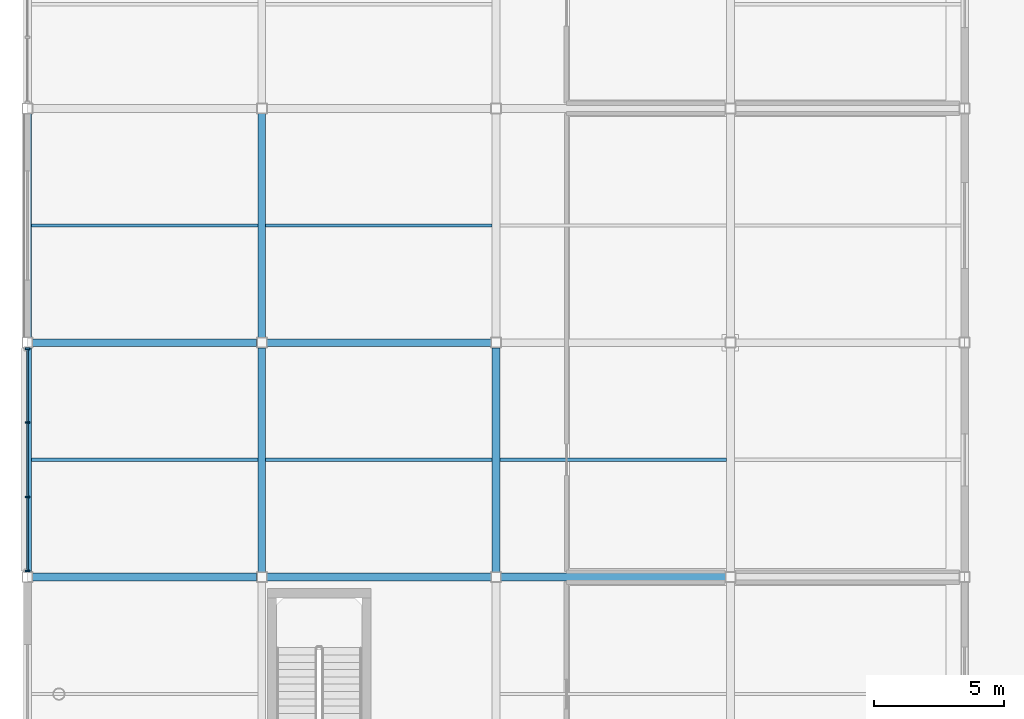
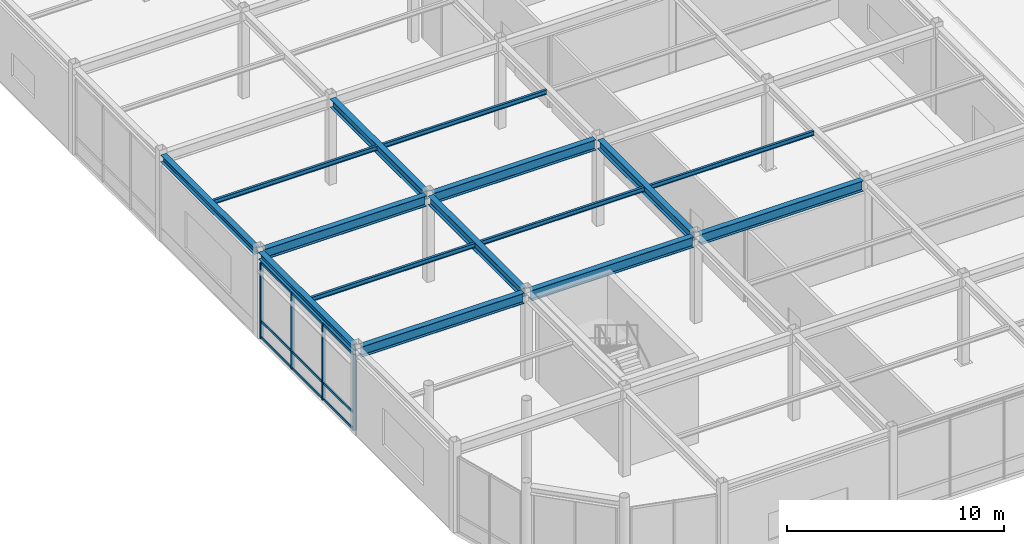
# One storey, part 29 of 123: 15 beams, 13 members, 1 element without a shape of its own.
"""IFC4 building model written with IfcOpenShell, lengths in metres."""

import ifcopenshell
import ifcopenshell.guid

model = None  # the IFC model being written
_history = None  # IfcOwnerHistory: only IFC2X3 demands one
_inside = {}  # id of a spatial element -> (the spatial element, [elements in it])
_under = {}  # id of a project, library or spatial element -> (it, [spatial elements below it])
_declared = {}  # id of a project -> (the project, [libraries it declares])
_typed = {}  # id of a type object -> (the type object, [elements of that type])
_made_of = {}  # id of a material, layer set ... -> (it, [elements and type objects made of it])


def new_model(schema):
    """Start an empty IFC model of exactly this schema.

    Asked for "IFC4X3", IfcOpenShell would pick the latest addendum, in which some entities
    have other attributes; the version numbers below select the first issue.
    IFC2X3 requires an IfcOwnerHistory on every rooted entity: one is made here for all.
    """
    global model, _history
    if schema == "IFC4X3":
        model = ifcopenshell.file(schema_version=(4, 3, 0, 0))
    else:
        model = ifcopenshell.file(schema=schema)
    _inside.clear()
    _under.clear()
    _declared.clear()
    _typed.clear()
    _made_of.clear()
    _history = None
    if model.schema == "IFC2X3":
        org = make("IfcOrganization", Name="unknown")
        user = make(
            "IfcPersonAndOrganization",
            ThePerson=make("IfcPerson", FamilyName="unknown"),
            TheOrganization=org,
        )
        app = make(
            "IfcApplication",
            ApplicationDeveloper=org,
            Version="unknown",
            ApplicationFullName="unknown",
            ApplicationIdentifier="unknown",
        )
        _history = make(
            "IfcOwnerHistory",
            OwningUser=user,
            OwningApplication=app,
            ChangeAction="ADDED",
            CreationDate=0,
        )
    return model


def make(cls, **values):
    """One entity of the class cls with the attributes given. An attribute that is None is left unset."""
    return model.create_entity(
        cls, **{name: value for name, value in values.items() if value is not None}
    )


def rooted(cls, **values):
    """An entity with a GlobalId (a new one), such as an element, a storey or a relation."""
    return make(cls, GlobalId=ifcopenshell.guid.new(), OwnerHistory=_history, **values)


def si_unit(unit_type, name, prefix=None):
    """IfcSIUnit, for example si_unit("LENGTHUNIT", "METRE", prefix="MILLI")."""
    return make("IfcSIUnit", UnitType=unit_type, Prefix=prefix, Name=name)


def assignment(units):
    """IfcUnitAssignment: the units of a project."""
    return None if units is None else make("IfcUnitAssignment", Units=units)


def point(xyz):
    """IfcCartesianPoint."""
    return None if xyz is None else make("IfcCartesianPoint", Coordinates=xyz)


def direction(xyz):
    """IfcDirection."""
    return None if xyz is None else make("IfcDirection", DirectionRatios=xyz)


def frame(location, z_axis=None, x_axis=None):
    """IfcAxis2Placement3D, a coordinate frame: its origin and axes. An axis left out is left unset."""
    return make(
        "IfcAxis2Placement3D",
        Location=point(location),
        Axis=direction(z_axis),
        RefDirection=direction(x_axis),
    )


def frame_2d(location, x_axis=None):
    """IfcAxis2Placement2D, a coordinate frame in the plane: its origin and x axis."""
    return make(
        "IfcAxis2Placement2D", Location=point(location), RefDirection=direction(x_axis)
    )


def origin():
    """The frame at (0, 0, 0) with its axes left unset."""
    return frame((0.0, 0.0, 0.0))


def origin_2d():
    """The frame at (0, 0) in the plane with its x axis left unset."""
    return frame_2d((0.0, 0.0))


def place(relative_to, where):
    """IfcLocalPlacement: puts the frame where relative to a parent placement (None: the world)."""
    return make(
        "IfcLocalPlacement", PlacementRelTo=relative_to, RelativePlacement=where
    )


def context(
    kind, dimensions, precision=None, world=None, true_north=None, identifier=None
):
    """IfcGeometricRepresentationContext, for example the 3D "Model" context."""
    return make(
        "IfcGeometricRepresentationContext",
        ContextIdentifier=identifier,
        ContextType=kind,
        CoordinateSpaceDimension=dimensions,
        Precision=precision,
        WorldCoordinateSystem=world,
        TrueNorth=true_north,
    )


def subcontext(parent, identifier, kind, view, scale=None):
    """IfcGeometricRepresentationSubContext, for example "Body" below "Model"."""
    return make(
        "IfcGeometricRepresentationSubContext",
        ContextIdentifier=identifier,
        ContextType=kind,
        ParentContext=parent,
        TargetScale=scale,
        TargetView=view,
    )


def project(units=None, contexts=None):
    """IfcProject with its units and contexts."""
    return rooted(
        "IfcProject",
        Name="project",
        RepresentationContexts=contexts,
        UnitsInContext=assignment(units),
    )


def spatial(cls, under=None, at=None, **own):
    """A site, building, storey or space (cls), placed at a placement, below another one or the project."""
    s = rooted(cls, ObjectPlacement=at, **own)
    if under is not None:
        _under.setdefault(under.id(), (under, []))[1].append(s)
    return s


def profile(cls, at=None, kind="AREA", **sizes):
    """A parametric profile (cls). Its sizes go by their IFC names, for example OverallWidth=200.0."""
    return make(cls, ProfileType=kind, Position=at, **sizes)


def rectangle(**sizes):
    """IfcRectangleProfileDef."""
    return profile("IfcRectangleProfileDef", **sizes)


def i_section(**sizes):
    """IfcIShapeProfileDef."""
    return profile("IfcIShapeProfileDef", **sizes)


def extrude(swept, where, along, depth):
    """IfcExtrudedAreaSolid: the profile swept, set in the frame where, extruded along a direction by depth."""
    return make(
        "IfcExtrudedAreaSolid",
        SweptArea=swept,
        Position=where,
        ExtrudedDirection=direction(along),
        Depth=depth,
    )


def shape(context_of_items, identifier, shape_type, items):
    """IfcShapeRepresentation: the items that make up one representation, for example the "Body"."""
    return make(
        "IfcShapeRepresentation",
        ContextOfItems=context_of_items,
        RepresentationIdentifier=identifier,
        RepresentationType=shape_type,
        Items=items,
    )


def material(Name=None, Category=None):
    """IfcMaterial."""
    return make("IfcMaterial", Name=Name, Category=Category)


def material_profile(
    of_material, cross_section, Name=None, Category=None, Priority=None
):
    """IfcMaterialProfile: a cross section and its material."""
    return make(
        "IfcMaterialProfile",
        Name=Name,
        Material=of_material,
        Profile=cross_section,
        Priority=Priority,
        Category=Category,
    )


def profile_set(profiles, Name=None, composite=None):
    """IfcMaterialProfileSet."""
    return make(
        "IfcMaterialProfileSet",
        Name=Name,
        MaterialProfiles=profiles,
        CompositeProfile=composite,
    )


def made_of(thing, what):
    """Note that an element or type object is made of a material, layer set ...; save() writes the relation."""
    if what is not None:
        _made_of.setdefault(what.id(), (what, []))[1].append(thing)
    return thing


def type_object(cls, material=None, **own):
    """A type object (cls), such as IfcWallType, which elements share."""
    return made_of(rooted(cls, **own), material)


def element(
    cls,
    number,
    at=None,
    inside=None,
    cuts=None,
    type_object=None,
    material=None,
    context=None,
    identifier="Body",
    shape_type=None,
    held_by="IfcProductDefinitionShape",
    body=None,
    shapes=None,
    **own,
):
    """One element of the class cls, such as IfcWall. Its Tag is "e" and its number.

    at: its placement. inside: the storey or other place that contains it. cuts: it is an
    opening in that element (IfcRelVoidsElement). A single representation is given by context,
    identifier, shape_type and body (its items); several are given by shapes. held_by: the class
    of the entity that holds the representations. save() writes the other relations.
    """
    e = rooted(cls, Tag="e%d" % number, ObjectPlacement=at, **own)
    if body is not None:
        shapes = [shape(context, identifier, shape_type, body)]
    if shapes is not None:
        e.Representation = make(held_by, Representations=shapes)
    if inside is not None:
        _inside.setdefault(inside.id(), (inside, []))[1].append(e)
    if cuts is not None:
        rooted(
            "IfcRelVoidsElement", RelatingBuildingElement=cuts, RelatedOpeningElement=e
        )
    if type_object is not None:
        _typed.setdefault(type_object.id(), (type_object, []))[1].append(e)
    return made_of(e, material)


def aggregate(whole, parts):
    """IfcRelAggregates: a whole, such as a stair, and the parts it consists of."""
    return rooted("IfcRelAggregates", RelatingObject=whole, RelatedObjects=parts)


def save(model, path):
    """Write the relations noted so far, then the file.

    IfcRelAggregates (storeys below a building ...), IfcRelContainedInSpatialStructure (elements
    in a storey), IfcRelDefinesByType, IfcRelAssociatesMaterial and IfcRelDeclares: one each for
    every whole, place, type object, material and project.
    """
    for whole, parts in _under.values():
        aggregate(whole, parts)
    for where, things in _inside.values():
        rooted(
            "IfcRelContainedInSpatialStructure",
            RelatedElements=things,
            RelatingStructure=where,
        )
    for kind, things in _typed.values():
        rooted("IfcRelDefinesByType", RelatedObjects=things, RelatingType=kind)
    for what, things in _made_of.values():
        rooted("IfcRelAssociatesMaterial", RelatedObjects=things, RelatingMaterial=what)
    for by, libraries in _declared.values():
        rooted("IfcRelDeclares", RelatingContext=by, RelatedDefinitions=libraries)
    model.write(path)


model = new_model("IFC4")

# Units and contexts
model_context = context("Model", 3, precision=1e-05, world=origin(), true_north=direction((0.0, 1.0)))
body_context = subcontext(model_context, "Body", "Model", "MODEL_VIEW")
ifc_project = project(units=[si_unit("LENGTHUNIT", "METRE"), si_unit("AREAUNIT", "SQUARE_METRE"), si_unit("VOLUMEUNIT", "CUBIC_METRE"), si_unit("PLANEANGLEUNIT", "RADIAN"), si_unit("MASSUNIT", "GRAM", prefix="KILO")], contexts=[model_context])

# Site, building, storey
site_placement = place(None, origin())
site = spatial("IfcSite", under=ifc_project, at=site_placement, CompositionType="ELEMENT")
building_placement = place(site_placement, origin())
building = spatial("IfcBuilding", under=site, at=building_placement, Name="Suzunagisa Mobility Hub", CompositionType="ELEMENT")
storey_placement = place(building_placement, origin())
storey = spatial("IfcBuildingStorey", under=building, at=storey_placement, Name="L00", CompositionType="ELEMENT", Elevation=0.0)

# Curtain wall, members
ifc_material_1 = material(Name="Thermally Broken Anodized Aluminum and Low-E Glazing", Category="aluminium")
curtain_wall_type = type_object("IfcCurtainWallType", Name="Unitised Curtain Wall CW-21 8500x4300", PredefinedType="USERDEFINED", material=ifc_material_1)
curtain_wall_placement = place(storey_placement, origin())
curtain_wall = element("IfcCurtainWall", 1, at=curtain_wall_placement, inside=storey, type_object=curtain_wall_type, Name="L00 Unitised Curtain Wall CW-9", ObjectType="UNITISED CURTAIN WALL", PredefinedType="USERDEFINED")
ifc_material_2 = material(Name="Anodized Aluminum 6063-T6", Category="aluminium")
ifc_material_profile_1 = material_profile(ifc_material_2, rectangle(XDim=0.06494140625, YDim=0.139892578125, at=origin_2d()), Name="TRAN-65x140")
ifc_profile_set_1 = profile_set([ifc_material_profile_1], Name="Anodized Aluminum 6063-T6")
member_type_1 = type_object("IfcMemberType", Name="Curtain Wall Framing CM-01 TRAN-65x140", PredefinedType="USERDEFINED", material=ifc_profile_set_1)
member_1_placement = place(storey_placement, frame((0.0, 26.737060546875, 0.032470703125), z_axis=(0.0, -1.0, 0.0), x_axis=(1.0, 0.0, 0.0)))
member_1 = element("IfcMember", 2, at=member_1_placement, type_object=member_type_1, Name="Curtain Wall Transom 9-T1.1", ObjectType="TRANSOM", PredefinedType="USERDEFINED", context=body_context, shape_type="SweptSolid", body=[
    extrude(rectangle(XDim=0.06494140625, YDim=0.139892578125, at=origin_2d()), origin(), (0.0, 0.0, 1.0), 2.773193359375),
])
member_2_placement = place(storey_placement, frame((0.0, 26.737060546875, 0.949951171875), z_axis=(0.0, -1.0, 0.0), x_axis=(1.0, 0.0, 0.0)))
member_2 = element("IfcMember", 3, at=member_2_placement, type_object=member_type_1, Name="Curtain Wall Transom 9-T1.2", ObjectType="TRANSOM", PredefinedType="USERDEFINED", context=body_context, shape_type="SweptSolid", body=[
    extrude(rectangle(XDim=0.06494140625, YDim=0.139892578125, at=origin_2d()), origin(), (0.0, 0.0, 1.0), 2.773193359375),
])
member_3_placement = place(storey_placement, frame((0.0, 26.737060546875, 4.2294921875), z_axis=(0.0, -1.0, 0.0), x_axis=(1.0, 0.0, 0.0)))
member_3 = element("IfcMember", 4, at=member_3_placement, type_object=member_type_1, Name="Curtain Wall Transom 9-T1.3", ObjectType="TRANSOM", PredefinedType="USERDEFINED", context=body_context, shape_type="SweptSolid", body=[
    extrude(rectangle(XDim=0.06494140625, YDim=0.139892578125, at=origin_2d()), origin(), (0.0, 0.0, 1.0), 2.773193359375),
])
member_4_placement = place(storey_placement, frame((0.0, 23.90283203125, 0.032470703125), z_axis=(0.0, -1.0, 0.0), x_axis=(1.0, 0.0, 0.0)))
member_4 = element("IfcMember", 5, at=member_4_placement, type_object=member_type_1, Name="Curtain Wall Transom 9-T2.1", ObjectType="TRANSOM", PredefinedType="USERDEFINED", context=body_context, shape_type="SweptSolid", body=[
    extrude(rectangle(XDim=0.06494140625, YDim=0.139892578125, at=origin_2d()), origin(), (0.0, 0.0, 1.0), 2.8056640625),
])
member_5_placement = place(storey_placement, frame((0.0, 23.90283203125, 0.949951171875), z_axis=(0.0, -1.0, 0.0), x_axis=(1.0, 0.0, 0.0)))
member_5 = element("IfcMember", 6, at=member_5_placement, type_object=member_type_1, Name="Curtain Wall Transom 9-T2.2", ObjectType="TRANSOM", PredefinedType="USERDEFINED", context=body_context, shape_type="SweptSolid", body=[
    extrude(rectangle(XDim=0.06494140625, YDim=0.139892578125, at=origin_2d()), origin(), (0.0, 0.0, 1.0), 2.8056640625),
])
member_6_placement = place(storey_placement, frame((0.0, 23.90283203125, 4.2294921875), z_axis=(0.0, -1.0, 0.0), x_axis=(1.0, 0.0, 0.0)))
member_6 = element("IfcMember", 7, at=member_6_placement, type_object=member_type_1, Name="Curtain Wall Transom 9-T2.3", ObjectType="TRANSOM", PredefinedType="USERDEFINED", context=body_context, shape_type="SweptSolid", body=[
    extrude(rectangle(XDim=0.06494140625, YDim=0.139892578125, at=origin_2d()), origin(), (0.0, 0.0, 1.0), 2.8056640625),
])
member_7_placement = place(storey_placement, frame((0.0, 21.0361328125, 0.032470703125), z_axis=(0.0, -1.0, 0.0), x_axis=(1.0, 0.0, 0.0)))
member_7 = element("IfcMember", 8, at=member_7_placement, type_object=member_type_1, Name="Curtain Wall Transom 9-T3.1", ObjectType="TRANSOM", PredefinedType="USERDEFINED", context=body_context, shape_type="SweptSolid", body=[
    extrude(rectangle(XDim=0.06494140625, YDim=0.139892578125, at=origin_2d()), origin(), (0.0, 0.0, 1.0), 2.773193359375),
])
member_8_placement = place(storey_placement, frame((0.0, 21.0361328125, 0.949951171875), z_axis=(0.0, -1.0, 0.0), x_axis=(1.0, 0.0, 0.0)))
member_8 = element("IfcMember", 9, at=member_8_placement, type_object=member_type_1, Name="Curtain Wall Transom 9-T3.2", ObjectType="TRANSOM", PredefinedType="USERDEFINED", context=body_context, shape_type="SweptSolid", body=[
    extrude(rectangle(XDim=0.06494140625, YDim=0.139892578125, at=origin_2d()), origin(), (0.0, 0.0, 1.0), 2.773193359375),
])
member_9_placement = place(storey_placement, frame((0.0, 21.0361328125, 4.2294921875), z_axis=(0.0, -1.0, 0.0), x_axis=(1.0, 0.0, 0.0)))
member_9 = element("IfcMember", 10, at=member_9_placement, type_object=member_type_1, Name="Curtain Wall Transom 9-T3.3", ObjectType="TRANSOM", PredefinedType="USERDEFINED", context=body_context, shape_type="SweptSolid", body=[
    extrude(rectangle(XDim=0.06494140625, YDim=0.139892578125, at=origin_2d()), origin(), (0.0, 0.0, 1.0), 2.773193359375),
])
ifc_material_profile_2 = material_profile(ifc_material_2, rectangle(XDim=0.06494140625, YDim=0.179931640625, at=origin_2d()), Name="MULL-65x180")
ifc_profile_set_2 = profile_set([ifc_material_profile_2], Name="Anodized Aluminum 6063-T6")
member_type_2 = type_object("IfcMemberType", Name="Curtain Wall Framing CM-04 MULL-65x180", PredefinedType="MULLION", material=ifc_profile_set_2)
member_10_placement = place(storey_placement, frame((0.0, 26.767578125, 0.0), z_axis=(0.0, 0.0, 1.0), x_axis=(0.0, -1.0, 0.0)))
member_10 = element("IfcMember", 11, at=member_10_placement, type_object=member_type_2, Name="Curtain Wall Mullion 9-M1", PredefinedType="MULLION", context=body_context, shape_type="SweptSolid", body=[
    extrude(rectangle(XDim=0.06494140625, YDim=0.179931640625, at=origin_2d()), origin(), (0.0, 0.0, 1.0), 4.261962890625),
])
member_11_placement = place(storey_placement, frame((0.0, 23.933349609375, 0.0), z_axis=(0.0, 0.0, 1.0), x_axis=(0.0, -1.0, 0.0)))
member_11 = element("IfcMember", 12, at=member_11_placement, type_object=member_type_2, Name="Curtain Wall Mullion 9-M2", PredefinedType="MULLION", context=body_context, shape_type="SweptSolid", body=[
    extrude(rectangle(XDim=0.06494140625, YDim=0.179931640625, at=origin_2d()), origin(), (0.0, 0.0, 1.0), 4.261962890625),
])
member_12_placement = place(storey_placement, frame((0.0, 21.066650390625, 0.0), z_axis=(0.0, 0.0, 1.0), x_axis=(0.0, -1.0, 0.0)))
member_12 = element("IfcMember", 13, at=member_12_placement, type_object=member_type_2, Name="Curtain Wall Mullion 9-M3", PredefinedType="MULLION", context=body_context, shape_type="SweptSolid", body=[
    extrude(rectangle(XDim=0.06494140625, YDim=0.179931640625, at=origin_2d()), origin(), (0.0, 0.0, 1.0), 4.261962890625),
])
member_13_placement = place(storey_placement, frame((0.0, 18.232421875, 0.0), z_axis=(0.0, 0.0, 1.0), x_axis=(0.0, -1.0, 0.0)))
member_13 = element("IfcMember", 14, at=member_13_placement, type_object=member_type_2, Name="Curtain Wall Mullion 9-M4", PredefinedType="MULLION", context=body_context, shape_type="SweptSolid", body=[
    extrude(rectangle(XDim=0.06494140625, YDim=0.179931640625, at=origin_2d()), origin(), (0.0, 0.0, 1.0), 4.261962890625),
])
aggregate(curtain_wall, [member_10, member_11, member_12, member_13, member_1, member_2, member_3, member_4, member_5, member_6, member_7, member_8, member_9])

# Beams
ifc_material_3 = material(Name="Steel SN490B", Category="steel")
ifc_material_profile_3 = material_profile(ifc_material_3, i_section(OverallWidth=0.300048828125, OverallDepth=0.488037109375, WebThickness=0.010986328125, FlangeThickness=0.01806640625, FilletRadius=0.012939453125, at=origin_2d()), Name="H-488x300x11x18")
ifc_profile_set_3 = profile_set([ifc_material_profile_3], Name="Steel SN490B")
beam_type_1 = type_object("IfcBeamType", Name="Steel Beam BM-06 H-488x300x11x18", PredefinedType="BEAM", material=ifc_profile_set_3)
for number, where, z_axis, x_axis, name in (
    (15, (9.0, 18.196044921875, 4.60595703125), (0.0, 1.0, 0.0), (-1.0, 0.0, 0.0), "L00 Primary Girder GY-130"),
    (16, (9.0, 27.196044921875, 4.60595703125), (0.0, 1.0, 0.0), (-1.0, 0.0, 0.0), "L00 Primary Girder GY-131"),
    (17, (18.0, 18.196044921875, 4.60595703125), (0.0, 1.0, 0.0), (-1.0, 0.0, 0.0), "L00 Primary Girder GY-137"),
):
    element("IfcBeam", number, at=place(storey_placement, frame(where, z_axis=z_axis, x_axis=x_axis)), inside=storey, type_object=beam_type_1, Name=name, PredefinedType="BEAM", context=body_context, shape_type="SweptSolid", body=[
        extrude(i_section(OverallWidth=0.300048828125, OverallDepth=0.488037109375, WebThickness=0.010986328125, FlangeThickness=0.01806640625, FilletRadius=0.012939453125, at=origin_2d()), origin(), (0.0, 0.0, 1.0), 8.60791015625),
    ])
ifc_material_profile_4 = material_profile(ifc_material_3, i_section(OverallWidth=0.300048828125, OverallDepth=0.389892578125, WebThickness=0.010009765625, FlangeThickness=0.01611328125, FilletRadius=0.012939453125, at=origin_2d()), Name="H-390x300x10x16")
ifc_profile_set_4 = profile_set([ifc_material_profile_4], Name="Steel SN490B")
beam_type_2 = type_object("IfcBeamType", Name="Steel Beam BM-13 H-390x300x10x16", PredefinedType="SPANDREL", material=ifc_profile_set_4)
for number, where, z_axis, x_axis, name in (
    (18, (0.0, 18.196044921875, 4.655029296875), (0.0, 1.0, 0.0), (-1.0, 0.0, 0.0), "L00 Primary Girder GY-123"),
    (19, (0.0, 27.196044921875, 4.655029296875), (0.0, 1.0, 0.0), (-1.0, 0.0, 0.0), "L00 Primary Girder GY-124"),
):
    element("IfcBeam", number, at=place(storey_placement, frame(where, z_axis=z_axis, x_axis=x_axis)), inside=storey, type_object=beam_type_2, Name=name, PredefinedType="SPANDREL", context=body_context, shape_type="SweptSolid", body=[
        extrude(i_section(OverallWidth=0.300048828125, OverallDepth=0.389892578125, WebThickness=0.010009765625, FlangeThickness=0.01611328125, FilletRadius=0.012939453125, at=origin_2d()), origin(), (0.0, 0.0, 1.0), 8.60791015625),
    ])
ifc_material_profile_5 = material_profile(ifc_material_3, i_section(OverallWidth=0.300048828125, OverallDepth=0.587890625, WebThickness=0.011962890625, FlangeThickness=0.02001953125, FilletRadius=0.012939453125, at=origin_2d()), Name="H-588x300x12x20")
ifc_profile_set_5 = profile_set([ifc_material_profile_5], Name="Steel SN490B")
beam_type_3 = type_object("IfcBeamType", Name="Steel Beam BM-16 H-588x300x12x20", PredefinedType="BEAM", material=ifc_profile_set_5)
for number, where, z_axis, x_axis, name in (
    (20, (0.196044921875, 18.0, 4.555908203125), (1.0, 0.0, 0.0), (0.0, 1.0, 0.0), "L00 Primary Girder GX-98"),
    (21, (9.196044921875, 18.0, 4.555908203125), (1.0, 0.0, 0.0), (0.0, 1.0, 0.0), "L00 Primary Girder GX-99"),
    (22, (18.196044921875, 18.0, 4.555908203125), (1.0, 0.0, 0.0), (0.0, 1.0, 0.0), "L00 Primary Girder GX-100"),
    (23, (0.196044921875, 27.0, 4.555908203125), (1.0, 0.0, 0.0), (0.0, 1.0, 0.0), "L00 Primary Girder GX-102"),
    (24, (9.196044921875, 27.0, 4.555908203125), (1.0, 0.0, 0.0), (0.0, 1.0, 0.0), "L00 Primary Girder GX-103"),
):
    element("IfcBeam", number, at=place(storey_placement, frame(where, z_axis=z_axis, x_axis=x_axis)), inside=storey, type_object=beam_type_3, Name=name, PredefinedType="BEAM", context=body_context, shape_type="SweptSolid", body=[
        extrude(i_section(OverallWidth=0.300048828125, OverallDepth=0.587890625, WebThickness=0.011962890625, FlangeThickness=0.02001953125, FilletRadius=0.012939453125, at=origin_2d()), origin(), (0.0, 0.0, 1.0), 8.60791015625),
    ])
ifc_material_4 = material(Name="Steel SN400B", Category="steel")
ifc_material_profile_6 = material_profile(ifc_material_4, i_section(OverallWidth=0.125, OverallDepth=0.25, WebThickness=0.006103515625, FlangeThickness=0.009033203125, FilletRadius=0.008056640625, at=origin_2d()), Name="H-250x125x6x9")
ifc_profile_set_6 = profile_set([ifc_material_profile_6], Name="Steel SN400B")
beam_type_4 = type_object("IfcBeamType", Name="Steel Beam BM-21 H-250x125x6x9", PredefinedType="JOIST", material=ifc_profile_set_6)
for number, where, z_axis, x_axis, name in (
    (25, (0.14990234375, 22.5, 4.72509765625), (1.0, 0.0, 0.0), (0.0, 1.0, 0.0), "L00 Composite Floor Joist J-158"),
    (26, (0.14990234375, 31.5, 4.72509765625), (1.0, 0.0, 0.0), (0.0, 1.0, 0.0), "L00 Composite Floor Joist J-159"),
    (27, (9.14990234375, 22.5, 4.72509765625), (1.0, 0.0, 0.0), (0.0, 1.0, 0.0), "L00 Composite Floor Joist J-164"),
    (28, (9.14990234375, 31.5, 4.72509765625), (1.0, 0.0, 0.0), (0.0, 1.0, 0.0), "L00 Composite Floor Joist J-165"),
    (29, (18.14990234375, 22.5, 4.72509765625), (1.0, 0.0, 0.0), (0.0, 1.0, 0.0), "L00 Composite Floor Joist J-170"),
):
    element("IfcBeam", number, at=place(storey_placement, frame(where, z_axis=z_axis, x_axis=x_axis)), inside=storey, type_object=beam_type_4, Name=name, PredefinedType="JOIST", context=body_context, shape_type="SweptSolid", body=[
        extrude(i_section(OverallWidth=0.125, OverallDepth=0.25, WebThickness=0.006103515625, FlangeThickness=0.009033203125, FilletRadius=0.008056640625, at=origin_2d()), origin(), (0.0, 0.0, 1.0), 8.7001953125),
    ])

save(model, "model.ifc")
